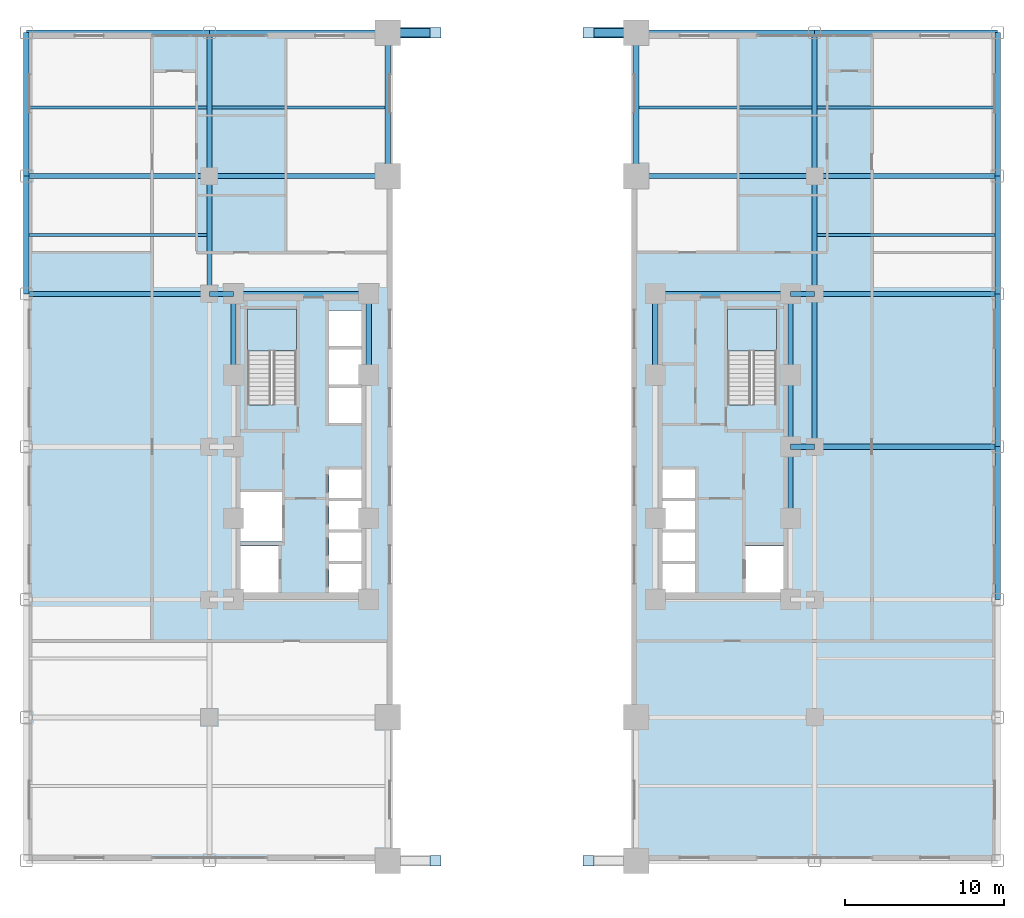
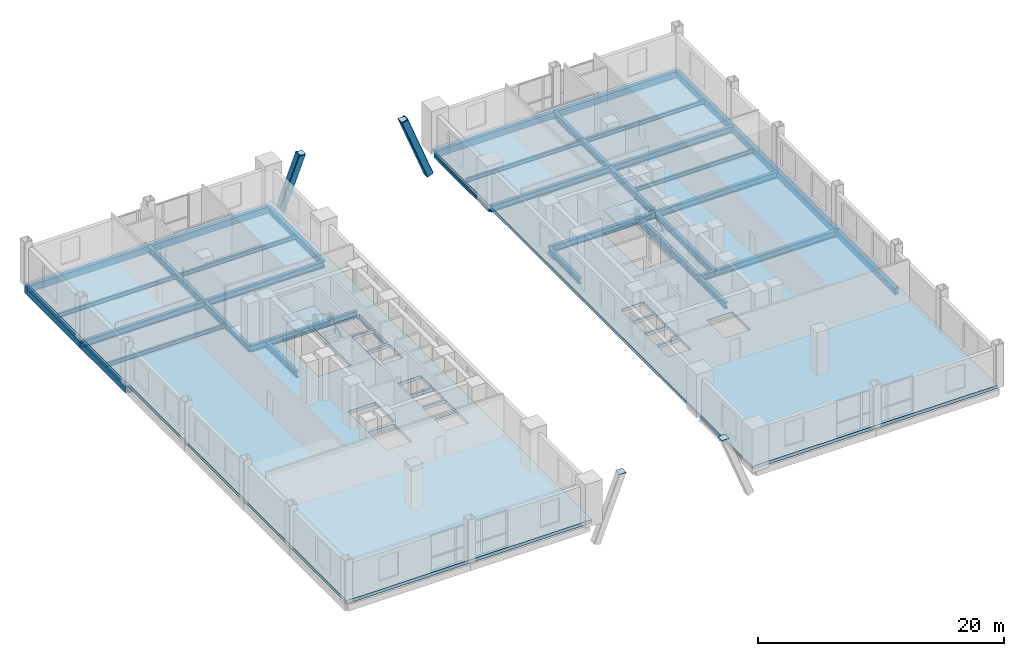
# One storey, part 2 of 15: 43 beams, 4 plates, 4 slabs, 2 elements without a shape of their own.
"""IFC4 building model written with IfcOpenShell, lengths in metres."""

import ifcopenshell
import ifcopenshell.guid

model = None  # the IFC model being written
_history = None  # IfcOwnerHistory: only IFC2X3 demands one
_inside = {}  # id of a spatial element -> (the spatial element, [elements in it])
_under = {}  # id of a project, library or spatial element -> (it, [spatial elements below it])
_declared = {}  # id of a project -> (the project, [libraries it declares])
_typed = {}  # id of a type object -> (the type object, [elements of that type])
_made_of = {}  # id of a material, layer set ... -> (it, [elements and type objects made of it])


def new_model(schema):
    """Start an empty IFC model of exactly this schema.

    Asked for "IFC4X3", IfcOpenShell would pick the latest addendum, in which some entities
    have other attributes; the version numbers below select the first issue.
    IFC2X3 requires an IfcOwnerHistory on every rooted entity: one is made here for all.
    """
    global model, _history
    if schema == "IFC4X3":
        model = ifcopenshell.file(schema_version=(4, 3, 0, 0))
    else:
        model = ifcopenshell.file(schema=schema)
    _inside.clear()
    _under.clear()
    _declared.clear()
    _typed.clear()
    _made_of.clear()
    _history = None
    if model.schema == "IFC2X3":
        org = make("IfcOrganization", Name="unknown")
        user = make(
            "IfcPersonAndOrganization",
            ThePerson=make("IfcPerson", FamilyName="unknown"),
            TheOrganization=org,
        )
        app = make(
            "IfcApplication",
            ApplicationDeveloper=org,
            Version="unknown",
            ApplicationFullName="unknown",
            ApplicationIdentifier="unknown",
        )
        _history = make(
            "IfcOwnerHistory",
            OwningUser=user,
            OwningApplication=app,
            ChangeAction="ADDED",
            CreationDate=0,
        )
    return model


def make(cls, **values):
    """One entity of the class cls with the attributes given. An attribute that is None is left unset."""
    return model.create_entity(
        cls, **{name: value for name, value in values.items() if value is not None}
    )


def rooted(cls, **values):
    """An entity with a GlobalId (a new one), such as an element, a storey or a relation."""
    return make(cls, GlobalId=ifcopenshell.guid.new(), OwnerHistory=_history, **values)


def si_unit(unit_type, name, prefix=None):
    """IfcSIUnit, for example si_unit("LENGTHUNIT", "METRE", prefix="MILLI")."""
    return make("IfcSIUnit", UnitType=unit_type, Prefix=prefix, Name=name)


def assignment(units):
    """IfcUnitAssignment: the units of a project."""
    return None if units is None else make("IfcUnitAssignment", Units=units)


def point(xyz):
    """IfcCartesianPoint."""
    return None if xyz is None else make("IfcCartesianPoint", Coordinates=xyz)


def direction(xyz):
    """IfcDirection."""
    return None if xyz is None else make("IfcDirection", DirectionRatios=xyz)


def frame(location, z_axis=None, x_axis=None):
    """IfcAxis2Placement3D, a coordinate frame: its origin and axes. An axis left out is left unset."""
    return make(
        "IfcAxis2Placement3D",
        Location=point(location),
        Axis=direction(z_axis),
        RefDirection=direction(x_axis),
    )


def frame_2d(location, x_axis=None):
    """IfcAxis2Placement2D, a coordinate frame in the plane: its origin and x axis."""
    return make(
        "IfcAxis2Placement2D", Location=point(location), RefDirection=direction(x_axis)
    )


def origin():
    """The frame at (0, 0, 0) with its axes left unset."""
    return frame((0.0, 0.0, 0.0))


def origin_2d():
    """The frame at (0, 0) in the plane with its x axis left unset."""
    return frame_2d((0.0, 0.0))


def place(relative_to, where):
    """IfcLocalPlacement: puts the frame where relative to a parent placement (None: the world)."""
    return make(
        "IfcLocalPlacement", PlacementRelTo=relative_to, RelativePlacement=where
    )


def context(
    kind, dimensions, precision=None, world=None, true_north=None, identifier=None
):
    """IfcGeometricRepresentationContext, for example the 3D "Model" context."""
    return make(
        "IfcGeometricRepresentationContext",
        ContextIdentifier=identifier,
        ContextType=kind,
        CoordinateSpaceDimension=dimensions,
        Precision=precision,
        WorldCoordinateSystem=world,
        TrueNorth=true_north,
    )


def subcontext(parent, identifier, kind, view, scale=None):
    """IfcGeometricRepresentationSubContext, for example "Body" below "Model"."""
    return make(
        "IfcGeometricRepresentationSubContext",
        ContextIdentifier=identifier,
        ContextType=kind,
        ParentContext=parent,
        TargetScale=scale,
        TargetView=view,
    )


def project(units=None, contexts=None):
    """IfcProject with its units and contexts."""
    return rooted(
        "IfcProject",
        Name="project",
        RepresentationContexts=contexts,
        UnitsInContext=assignment(units),
    )


def spatial(cls, under=None, at=None, **own):
    """A site, building, storey or space (cls), placed at a placement, below another one or the project."""
    s = rooted(cls, ObjectPlacement=at, **own)
    if under is not None:
        _under.setdefault(under.id(), (under, []))[1].append(s)
    return s


def polyline(points):
    """IfcPolyline through the points."""
    return make("IfcPolyline", Points=[point(p) for p in points])


def profile(cls, at=None, kind="AREA", **sizes):
    """A parametric profile (cls). Its sizes go by their IFC names, for example OverallWidth=200.0."""
    return make(cls, ProfileType=kind, Position=at, **sizes)


def rectangle(**sizes):
    """IfcRectangleProfileDef."""
    return profile("IfcRectangleProfileDef", **sizes)


def hollow_rectangle(**sizes):
    """IfcRectangleHollowProfileDef."""
    return profile("IfcRectangleHollowProfileDef", **sizes)


def i_section(**sizes):
    """IfcIShapeProfileDef."""
    return profile("IfcIShapeProfileDef", **sizes)


def outline(outer, holes=None, kind="AREA"):
    """IfcArbitraryClosedProfileDef: a profile drawn as a closed curve; with holes, ...WithVoids."""
    if holes is None:
        return make("IfcArbitraryClosedProfileDef", ProfileType=kind, OuterCurve=outer)
    return make(
        "IfcArbitraryProfileDefWithVoids",
        ProfileType=kind,
        OuterCurve=outer,
        InnerCurves=holes,
    )


def extrude(swept, where, along, depth):
    """IfcExtrudedAreaSolid: the profile swept, set in the frame where, extruded along a direction by depth."""
    return make(
        "IfcExtrudedAreaSolid",
        SweptArea=swept,
        Position=where,
        ExtrudedDirection=direction(along),
        Depth=depth,
    )


def shape(context_of_items, identifier, shape_type, items):
    """IfcShapeRepresentation: the items that make up one representation, for example the "Body"."""
    return make(
        "IfcShapeRepresentation",
        ContextOfItems=context_of_items,
        RepresentationIdentifier=identifier,
        RepresentationType=shape_type,
        Items=items,
    )


def source(mapping_origin, context_of_items, identifier, shape_type, items):
    """IfcRepresentationMap: a shape defined once, which mapped items show again and again."""
    return make(
        "IfcRepresentationMap",
        MappingOrigin=mapping_origin,
        MappedRepresentation=shape(context_of_items, identifier, shape_type, items),
    )


def transform(
    local_origin,
    x_axis=None,
    y_axis=None,
    z_axis=None,
    scale=None,
    scale2=None,
    scale3=None,
    uniform=True,
):
    """IfcCartesianTransformationOperator3D, or its non-uniform kind. x_axis, y_axis, z_axis: its Axis1, 2, 3."""
    if uniform:
        return make(
            "IfcCartesianTransformationOperator3D",
            Axis1=direction(x_axis),
            Axis2=direction(y_axis),
            LocalOrigin=point(local_origin),
            Scale=scale,
            Axis3=direction(z_axis),
        )
    return make(
        "IfcCartesianTransformationOperator3DnonUniform",
        Axis1=direction(x_axis),
        Axis2=direction(y_axis),
        LocalOrigin=point(local_origin),
        Scale=scale,
        Axis3=direction(z_axis),
        Scale2=scale2,
        Scale3=scale3,
    )


def mapped(mapping_source, mapping_target):
    """IfcMappedItem: shows the shape of a source again, moved by a transform."""
    return make(
        "IfcMappedItem", MappingSource=mapping_source, MappingTarget=mapping_target
    )


def material(Name=None, Category=None):
    """IfcMaterial."""
    return make("IfcMaterial", Name=Name, Category=Category)


def layer(
    of_material, thickness, ventilated=None, Name=None, Category=None, Priority=None
):
    """IfcMaterialLayer: one layer of a wall or slab, of a material (None: an air gap)."""
    return make(
        "IfcMaterialLayer",
        Material=of_material,
        LayerThickness=thickness,
        IsVentilated=ventilated,
        Name=Name,
        Category=Category,
        Priority=Priority,
    )


def layer_set(layers, Name=None):
    """IfcMaterialLayerSet."""
    return make("IfcMaterialLayerSet", MaterialLayers=layers, LayerSetName=Name)


def material_profile(
    of_material, cross_section, Name=None, Category=None, Priority=None
):
    """IfcMaterialProfile: a cross section and its material."""
    return make(
        "IfcMaterialProfile",
        Name=Name,
        Material=of_material,
        Profile=cross_section,
        Priority=Priority,
        Category=Category,
    )


def profile_set(profiles, Name=None, composite=None):
    """IfcMaterialProfileSet."""
    return make(
        "IfcMaterialProfileSet",
        Name=Name,
        MaterialProfiles=profiles,
        CompositeProfile=composite,
    )


def made_of(thing, what):
    """Note that an element or type object is made of a material, layer set ...; save() writes the relation."""
    if what is not None:
        _made_of.setdefault(what.id(), (what, []))[1].append(thing)
    return thing


def type_object(cls, material=None, **own):
    """A type object (cls), such as IfcWallType, which elements share."""
    return made_of(rooted(cls, **own), material)


def type_shapes(of_type, sources):
    """Give a type object the sources (RepresentationMaps) that its elements show as mapped items."""
    of_type.RepresentationMaps = sources


def element(
    cls,
    number,
    at=None,
    inside=None,
    cuts=None,
    type_object=None,
    material=None,
    context=None,
    identifier="Body",
    shape_type=None,
    held_by="IfcProductDefinitionShape",
    body=None,
    shapes=None,
    **own,
):
    """One element of the class cls, such as IfcWall. Its Tag is "e" and its number.

    at: its placement. inside: the storey or other place that contains it. cuts: it is an
    opening in that element (IfcRelVoidsElement). A single representation is given by context,
    identifier, shape_type and body (its items); several are given by shapes. held_by: the class
    of the entity that holds the representations. save() writes the other relations.
    """
    e = rooted(cls, Tag="e%d" % number, ObjectPlacement=at, **own)
    if body is not None:
        shapes = [shape(context, identifier, shape_type, body)]
    if shapes is not None:
        e.Representation = make(held_by, Representations=shapes)
    if inside is not None:
        _inside.setdefault(inside.id(), (inside, []))[1].append(e)
    if cuts is not None:
        rooted(
            "IfcRelVoidsElement", RelatingBuildingElement=cuts, RelatedOpeningElement=e
        )
    if type_object is not None:
        _typed.setdefault(type_object.id(), (type_object, []))[1].append(e)
    return made_of(e, material)


def aggregate(whole, parts):
    """IfcRelAggregates: a whole, such as a stair, and the parts it consists of."""
    return rooted("IfcRelAggregates", RelatingObject=whole, RelatedObjects=parts)


def save(model, path):
    """Write the relations noted so far, then the file.

    IfcRelAggregates (storeys below a building ...), IfcRelContainedInSpatialStructure (elements
    in a storey), IfcRelDefinesByType, IfcRelAssociatesMaterial and IfcRelDeclares: one each for
    every whole, place, type object, material and project.
    """
    for whole, parts in _under.values():
        aggregate(whole, parts)
    for where, things in _inside.values():
        rooted(
            "IfcRelContainedInSpatialStructure",
            RelatedElements=things,
            RelatingStructure=where,
        )
    for kind, things in _typed.values():
        rooted("IfcRelDefinesByType", RelatedObjects=things, RelatingType=kind)
    for what, things in _made_of.values():
        rooted("IfcRelAssociatesMaterial", RelatedObjects=things, RelatingMaterial=what)
    for by, libraries in _declared.values():
        rooted("IfcRelDeclares", RelatingContext=by, RelatedDefinitions=libraries)
    model.write(path)


model = new_model("IFC4")

# Units and contexts
model_context = context("Model", 3, precision=1e-05, world=origin(), true_north=direction((0.0, 1.0)))
body_context = subcontext(model_context, "Body", "Model", "MODEL_VIEW")
ifc_project = project(units=[si_unit("LENGTHUNIT", "METRE"), si_unit("AREAUNIT", "SQUARE_METRE"), si_unit("VOLUMEUNIT", "CUBIC_METRE"), si_unit("PLANEANGLEUNIT", "RADIAN"), si_unit("MASSUNIT", "GRAM", prefix="KILO")], contexts=[model_context])

# Site, building, storey
site_placement = place(None, origin())
site = spatial("IfcSite", under=ifc_project, at=site_placement, CompositionType="ELEMENT")
building_placement = place(site_placement, origin())
building = spatial("IfcBuilding", under=site, at=building_placement, Name="Nuvemarco Arch Tower", CompositionType="ELEMENT")
storey_placement = place(building_placement, frame((0.0, 0.0, 9.199951171875)))
storey = spatial("IfcBuildingStorey", under=building, at=storey_placement, Name="L02", CompositionType="ELEMENT", Elevation=9.199951171875)

# Beams
ifc_material_1 = material(Name="Steel S355", Category="steel")
ifc_material_profile_1 = material_profile(ifc_material_1, hollow_rectangle(XDim=0.64990234375, YDim=0.64990234375, WallThickness=0.0400390625, InnerFilletRadius=0.0400390625, OuterFilletRadius=0.080078125, at=origin_2d()), Name="SHS650x650x40")
ifc_profile_set_1 = profile_set([ifc_material_profile_1], Name="Steel S355")
beam_type_1 = type_object("IfcBeamType", Name="BM-ARCH-RIB", PredefinedType="BEAM", material=ifc_profile_set_1)
for number, where, z_axis, x_axis, name in (
    (1, (-7.199951171875, 26.0, -2.39990234375), (0.360983800249, 0.0, 0.932572086199), (0.0, 1.0, 0.0), "Monumental portal arch rib segment N-2"),
    (2, (4.800048828125, 26.0, 3.800048828125), (0.360983800249, 0.0, -0.932572086199), (0.0, 1.0, 0.0), "Monumental portal arch rib segment N-5"),
):
    element("IfcBeam", number, at=place(storey_placement, frame(where, z_axis=z_axis, x_axis=x_axis)), inside=storey, type_object=beam_type_1, Name=name, PredefinedType="BEAM", context=body_context, shape_type="SweptSolid", body=[
        extrude(hollow_rectangle(XDim=0.64990234375, YDim=0.64990234375, WallThickness=0.0400390625, InnerFilletRadius=0.0400390625, OuterFilletRadius=0.080078125, at=origin_2d()), origin(), (0.0, 0.0, 1.0), 6.648193359375),
    ])
ifc_material_profile_2 = material_profile(ifc_material_1, i_section(OverallWidth=0.324951171875, OverallDepth=0.615966796875, WebThickness=0.013916015625, FlangeThickness=0.021484375, FilletRadius=0.01611328125, at=origin_2d()), Name="W610x174")
ifc_profile_set_2 = profile_set([ifc_material_profile_2], Name="Steel S355")
beam_type_2 = type_object("IfcBeamType", Name="BM-GIRD-610H", PredefinedType="BEAM", material=ifc_profile_set_2)
beam_1_placement = place(storey_placement, frame((-19.0, 9.60009765625, -0.6279296875), z_axis=(0.0, 1.0, 0.0), x_axis=(-1.0, 0.0, 0.0)))
element("IfcBeam", 3, at=beam_1_placement, inside=storey, type_object=beam_type_2, Name="L02 structural beam BGNS_L02_0_-19.0_+9.6", PredefinedType="BEAM", context=body_context, shape_type="SweptSolid", body=[
    extrude(i_section(OverallWidth=0.324951171875, OverallDepth=0.615966796875, WebThickness=0.013916015625, FlangeThickness=0.021484375, FilletRadius=0.01611328125, at=origin_2d()), origin(), (0.0, 0.0, 1.0), 7.39990234375),
])
beam_2_placement = place(storey_placement, frame((-19.0, 17.0, -0.6279296875), z_axis=(0.0, 1.0, 0.0), x_axis=(-1.0, 0.0, 0.0)))
element("IfcBeam", 4, at=beam_2_placement, inside=storey, type_object=beam_type_2, Name="L02 structural beam BGNS_L02_0_-19.0_+17.0", PredefinedType="BEAM", context=body_context, shape_type="SweptSolid", body=[
    extrude(i_section(OverallWidth=0.324951171875, OverallDepth=0.615966796875, WebThickness=0.013916015625, FlangeThickness=0.021484375, FilletRadius=0.01611328125, at=origin_2d()), origin(), (0.0, 0.0, 1.0), 9.0),
])
for number, where, z_axis, x_axis, name in (
    (5, (-17.5, 4.5, -0.6279296875), (0.0, 1.0, 0.0), (-1.0, 0.0, 0.0), "L02 structural beam BGNS_L02_0_-17.5_+4.5"),
    (6, (-9.0, 4.5, -0.6279296875), (0.0, 1.0, 0.0), (-1.0, 0.0, 0.0), "L02 structural beam BGNS_L02_0_-9.0_+4.5"),
):
    element("IfcBeam", number, at=place(storey_placement, frame(where, z_axis=z_axis, x_axis=x_axis)), inside=storey, type_object=beam_type_2, Name=name, PredefinedType="BEAM", context=body_context, shape_type="SweptSolid", body=[
        extrude(i_section(OverallWidth=0.324951171875, OverallDepth=0.615966796875, WebThickness=0.013916015625, FlangeThickness=0.021484375, FilletRadius=0.01611328125, at=origin_2d()), origin(), (0.0, 0.0, 1.0), 5.10009765625),
    ])
beam_3_placement = place(storey_placement, frame((-7.800048828125, 17.0, -0.6279296875), z_axis=(0.0, 1.0, 0.0), x_axis=(-1.0, 0.0, 0.0)))
element("IfcBeam", 7, at=beam_3_placement, inside=storey, type_object=beam_type_2, Name="L02 structural beam BGNS_L02_0_-7.8_+17.0", PredefinedType="BEAM", context=body_context, shape_type="SweptSolid", body=[
    extrude(i_section(OverallWidth=0.324951171875, OverallDepth=0.615966796875, WebThickness=0.013916015625, FlangeThickness=0.021484375, FilletRadius=0.01611328125, at=origin_2d()), origin(), (0.0, 0.0, 1.0), 9.0),
])
beam_4_placement = place(storey_placement, frame((-30.5, 9.60009765625, -0.6279296875), z_axis=(1.0, 0.0, 0.0), x_axis=(0.0, 1.0, 0.0)))
element("IfcBeam", 8, at=beam_4_placement, inside=storey, type_object=beam_type_2, Name="L02 structural beam BGEW_L02_0_+9.6_-30.5", PredefinedType="BEAM", context=body_context, shape_type="SweptSolid", body=[
    extrude(i_section(OverallWidth=0.324951171875, OverallDepth=0.615966796875, WebThickness=0.013916015625, FlangeThickness=0.021484375, FilletRadius=0.01611328125, at=origin_2d()), origin(), (0.0, 0.0, 1.0), 11.5),
])
beam_5_placement = place(storey_placement, frame((-19.0, 9.60009765625, -0.6279296875), z_axis=(1.0, 0.0, 0.0), x_axis=(0.0, 1.0, 0.0)))
element("IfcBeam", 9, at=beam_5_placement, inside=storey, type_object=beam_type_2, Name="L02 structural beam BGEW_L02_0_+9.6_-19.0", PredefinedType="BEAM", context=body_context, shape_type="SweptSolid", body=[
    extrude(i_section(OverallWidth=0.324951171875, OverallDepth=0.615966796875, WebThickness=0.013916015625, FlangeThickness=0.021484375, FilletRadius=0.01611328125, at=origin_2d()), origin(), (0.0, 0.0, 1.0), 1.5),
])
beam_6_placement = place(storey_placement, frame((-17.5, 9.60009765625, -0.6279296875), z_axis=(1.0, 0.0, 0.0), x_axis=(0.0, 1.0, 0.0)))
element("IfcBeam", 10, at=beam_6_placement, inside=storey, type_object=beam_type_2, Name="L02 structural beam BGEW_L02_0_+9.6_-17.5", PredefinedType="BEAM", context=body_context, shape_type="SweptSolid", body=[
    extrude(i_section(OverallWidth=0.324951171875, OverallDepth=0.615966796875, WebThickness=0.013916015625, FlangeThickness=0.021484375, FilletRadius=0.01611328125, at=origin_2d()), origin(), (0.0, 0.0, 1.0), 8.5),
])
beam_7_placement = place(storey_placement, frame((-30.5, 17.0, -0.6279296875), z_axis=(1.0, 0.0, 0.0), x_axis=(0.0, 1.0, 0.0)))
element("IfcBeam", 11, at=beam_7_placement, inside=storey, type_object=beam_type_2, Name="L02 structural beam BGEW_L02_0_+17.0_-30.5", PredefinedType="BEAM", context=body_context, shape_type="SweptSolid", body=[
    extrude(i_section(OverallWidth=0.324951171875, OverallDepth=0.615966796875, WebThickness=0.013916015625, FlangeThickness=0.021484375, FilletRadius=0.01611328125, at=origin_2d()), origin(), (0.0, 0.0, 1.0), 11.5),
])
beam_8_placement = place(storey_placement, frame((-19.0, 17.0, -0.6279296875), z_axis=(1.0, 0.0, 0.0), x_axis=(0.0, 1.0, 0.0)))
element("IfcBeam", 12, at=beam_8_placement, inside=storey, type_object=beam_type_2, Name="L02 structural beam BGEW_L02_0_+17.0_-19.0", PredefinedType="BEAM", context=body_context, shape_type="SweptSolid", body=[
    extrude(i_section(OverallWidth=0.324951171875, OverallDepth=0.615966796875, WebThickness=0.013916015625, FlangeThickness=0.021484375, FilletRadius=0.01611328125, at=origin_2d()), origin(), (0.0, 0.0, 1.0), 11.199951171875),
])
beam_9_placement = place(storey_placement, frame((7.800048828125, 17.0, -0.6279296875), z_axis=(0.0, 1.0, 0.0), x_axis=(-1.0, 0.0, 0.0)))
element("IfcBeam", 13, at=beam_9_placement, inside=storey, type_object=beam_type_2, Name="L02 structural beam BGNS_L02_1_+7.8_+17.0", PredefinedType="BEAM", context=body_context, shape_type="SweptSolid", body=[
    extrude(i_section(OverallWidth=0.324951171875, OverallDepth=0.615966796875, WebThickness=0.013916015625, FlangeThickness=0.021484375, FilletRadius=0.01611328125, at=origin_2d()), origin(), (0.0, 0.0, 1.0), 9.0),
])
beam_10_placement = place(storey_placement, frame((9.0, 4.5, -0.6279296875), z_axis=(0.0, 1.0, 0.0), x_axis=(-1.0, 0.0, 0.0)))
element("IfcBeam", 14, at=beam_10_placement, inside=storey, type_object=beam_type_2, Name="L02 structural beam BGNS_L02_1_+9.0_+4.5", PredefinedType="BEAM", context=body_context, shape_type="SweptSolid", body=[
    extrude(i_section(OverallWidth=0.324951171875, OverallDepth=0.615966796875, WebThickness=0.013916015625, FlangeThickness=0.021484375, FilletRadius=0.01611328125, at=origin_2d()), origin(), (0.0, 0.0, 1.0), 5.10009765625),
])
for number, where, z_axis, x_axis, name in (
    (15, (17.5, -4.5, -0.6279296875), (0.0, 1.0, 0.0), (-1.0, 0.0, 0.0), "L02 structural beam BGNS_L02_1_+17.5_-4.5"),
    (16, (17.5, 0.0, -0.6279296875), (0.0, 1.0, 0.0), (-1.0, 0.0, 0.0), "L02 structural beam BGNS_L02_1_+17.5_+0.0"),
):
    element("IfcBeam", number, at=place(storey_placement, frame(where, z_axis=z_axis, x_axis=x_axis)), inside=storey, type_object=beam_type_2, Name=name, PredefinedType="BEAM", context=body_context, shape_type="SweptSolid", body=[
        extrude(i_section(OverallWidth=0.324951171875, OverallDepth=0.615966796875, WebThickness=0.013916015625, FlangeThickness=0.021484375, FilletRadius=0.01611328125, at=origin_2d()), origin(), (0.0, 0.0, 1.0), 4.5),
    ])
beam_11_placement = place(storey_placement, frame((17.5, 4.5, -0.6279296875), z_axis=(0.0, 1.0, 0.0), x_axis=(-1.0, 0.0, 0.0)))
element("IfcBeam", 17, at=beam_11_placement, inside=storey, type_object=beam_type_2, Name="L02 structural beam BGNS_L02_1_+17.5_+4.5", PredefinedType="BEAM", context=body_context, shape_type="SweptSolid", body=[
    extrude(i_section(OverallWidth=0.324951171875, OverallDepth=0.615966796875, WebThickness=0.013916015625, FlangeThickness=0.021484375, FilletRadius=0.01611328125, at=origin_2d()), origin(), (0.0, 0.0, 1.0), 5.10009765625),
])
beam_12_placement = place(storey_placement, frame((19.0, 0.0, -0.6279296875), z_axis=(0.0, 1.0, 0.0), x_axis=(-1.0, 0.0, 0.0)))
element("IfcBeam", 18, at=beam_12_placement, inside=storey, type_object=beam_type_2, Name="L02 structural beam BGNS_L02_1_+19.0_+0.0", PredefinedType="BEAM", context=body_context, shape_type="SweptSolid", body=[
    extrude(i_section(OverallWidth=0.324951171875, OverallDepth=0.615966796875, WebThickness=0.013916015625, FlangeThickness=0.021484375, FilletRadius=0.01611328125, at=origin_2d()), origin(), (0.0, 0.0, 1.0), 9.60009765625),
])
beam_13_placement = place(storey_placement, frame((19.0, 9.60009765625, -0.6279296875), z_axis=(0.0, 1.0, 0.0), x_axis=(-1.0, 0.0, 0.0)))
element("IfcBeam", 19, at=beam_13_placement, inside=storey, type_object=beam_type_2, Name="L02 structural beam BGNS_L02_1_+19.0_+9.6", PredefinedType="BEAM", context=body_context, shape_type="SweptSolid", body=[
    extrude(i_section(OverallWidth=0.324951171875, OverallDepth=0.615966796875, WebThickness=0.013916015625, FlangeThickness=0.021484375, FilletRadius=0.01611328125, at=origin_2d()), origin(), (0.0, 0.0, 1.0), 7.39990234375),
])
beam_14_placement = place(storey_placement, frame((19.0, 17.0, -0.6279296875), z_axis=(0.0, 1.0, 0.0), x_axis=(-1.0, 0.0, 0.0)))
element("IfcBeam", 20, at=beam_14_placement, inside=storey, type_object=beam_type_2, Name="L02 structural beam BGNS_L02_1_+19.0_+17.0", PredefinedType="BEAM", context=body_context, shape_type="SweptSolid", body=[
    extrude(i_section(OverallWidth=0.324951171875, OverallDepth=0.615966796875, WebThickness=0.013916015625, FlangeThickness=0.021484375, FilletRadius=0.01611328125, at=origin_2d()), origin(), (0.0, 0.0, 1.0), 9.0),
])
beam_15_placement = place(storey_placement, frame((17.5, 0.0, -0.6279296875), z_axis=(1.0, 0.0, 0.0), x_axis=(0.0, 1.0, 0.0)))
element("IfcBeam", 21, at=beam_15_placement, inside=storey, type_object=beam_type_2, Name="L02 structural beam BGEW_L02_1_+0.0_+17.5", PredefinedType="BEAM", context=body_context, shape_type="SweptSolid", body=[
    extrude(i_section(OverallWidth=0.324951171875, OverallDepth=0.615966796875, WebThickness=0.013916015625, FlangeThickness=0.021484375, FilletRadius=0.01611328125, at=origin_2d()), origin(), (0.0, 0.0, 1.0), 1.5),
])
beam_16_placement = place(storey_placement, frame((19.0, 0.0, -0.6279296875), z_axis=(1.0, 0.0, 0.0), x_axis=(0.0, 1.0, 0.0)))
element("IfcBeam", 22, at=beam_16_placement, inside=storey, type_object=beam_type_2, Name="L02 structural beam BGEW_L02_1_+0.0_+19.0", PredefinedType="BEAM", context=body_context, shape_type="SweptSolid", body=[
    extrude(i_section(OverallWidth=0.324951171875, OverallDepth=0.615966796875, WebThickness=0.013916015625, FlangeThickness=0.021484375, FilletRadius=0.01611328125, at=origin_2d()), origin(), (0.0, 0.0, 1.0), 11.5),
])
beam_17_placement = place(storey_placement, frame((9.0, 9.60009765625, -0.6279296875), z_axis=(1.0, 0.0, 0.0), x_axis=(0.0, 1.0, 0.0)))
element("IfcBeam", 23, at=beam_17_placement, inside=storey, type_object=beam_type_2, Name="L02 structural beam BGEW_L02_1_+9.6_+9.0", PredefinedType="BEAM", context=body_context, shape_type="SweptSolid", body=[
    extrude(i_section(OverallWidth=0.324951171875, OverallDepth=0.615966796875, WebThickness=0.013916015625, FlangeThickness=0.021484375, FilletRadius=0.01611328125, at=origin_2d()), origin(), (0.0, 0.0, 1.0), 8.5),
])
beam_18_placement = place(storey_placement, frame((17.5, 9.60009765625, -0.6279296875), z_axis=(1.0, 0.0, 0.0), x_axis=(0.0, 1.0, 0.0)))
element("IfcBeam", 24, at=beam_18_placement, inside=storey, type_object=beam_type_2, Name="L02 structural beam BGEW_L02_1_+9.6_+17.5", PredefinedType="BEAM", context=body_context, shape_type="SweptSolid", body=[
    extrude(i_section(OverallWidth=0.324951171875, OverallDepth=0.615966796875, WebThickness=0.013916015625, FlangeThickness=0.021484375, FilletRadius=0.01611328125, at=origin_2d()), origin(), (0.0, 0.0, 1.0), 1.5),
])
beam_19_placement = place(storey_placement, frame((19.0, 9.60009765625, -0.6279296875), z_axis=(1.0, 0.0, 0.0), x_axis=(0.0, 1.0, 0.0)))
element("IfcBeam", 25, at=beam_19_placement, inside=storey, type_object=beam_type_2, Name="L02 structural beam BGEW_L02_1_+9.6_+19.0", PredefinedType="BEAM", context=body_context, shape_type="SweptSolid", body=[
    extrude(i_section(OverallWidth=0.324951171875, OverallDepth=0.615966796875, WebThickness=0.013916015625, FlangeThickness=0.021484375, FilletRadius=0.01611328125, at=origin_2d()), origin(), (0.0, 0.0, 1.0), 11.5),
])
beam_20_placement = place(storey_placement, frame((7.800048828125, 17.0, -0.6279296875), z_axis=(1.0, 0.0, 0.0), x_axis=(0.0, 1.0, 0.0)))
element("IfcBeam", 26, at=beam_20_placement, inside=storey, type_object=beam_type_2, Name="L02 structural beam BGEW_L02_1_+17.0_+7.8", PredefinedType="BEAM", context=body_context, shape_type="SweptSolid", body=[
    extrude(i_section(OverallWidth=0.324951171875, OverallDepth=0.615966796875, WebThickness=0.013916015625, FlangeThickness=0.021484375, FilletRadius=0.01611328125, at=origin_2d()), origin(), (0.0, 0.0, 1.0), 11.199951171875),
])
beam_21_placement = place(storey_placement, frame((19.0, 17.0, -0.6279296875), z_axis=(1.0, 0.0, 0.0), x_axis=(0.0, 1.0, 0.0)))
element("IfcBeam", 27, at=beam_21_placement, inside=storey, type_object=beam_type_2, Name="L02 structural beam BGEW_L02_1_+17.0_+19.0", PredefinedType="BEAM", context=body_context, shape_type="SweptSolid", body=[
    extrude(i_section(OverallWidth=0.324951171875, OverallDepth=0.615966796875, WebThickness=0.013916015625, FlangeThickness=0.021484375, FilletRadius=0.01611328125, at=origin_2d()), origin(), (0.0, 0.0, 1.0), 11.5),
])
ifc_material_profile_3 = material_profile(ifc_material_1, i_section(OverallWidth=0.179931640625, OverallDepth=0.4130859375, WebThickness=0.009765625, FlangeThickness=0.01611328125, FilletRadius=0.014892578125, at=origin_2d()), Name="W410x75")
ifc_profile_set_3 = profile_set([ifc_material_profile_3], Name="Steel S355")
beam_type_3 = type_object("IfcBeamType", Name="BM-JOIST-410", PredefinedType="JOIST", material=ifc_profile_set_3)
for number, where, z_axis, x_axis, name in (
    (28, (-30.324951171875, 13.300048828125, -0.5263671875), (1.0, 0.0, 0.0), (0.0, 1.0, 0.0), "L02 structural beam BJ_L02_0_+13.3_-30.5"),
    (29, (-30.324951171875, 21.300048828125, -0.5263671875), (1.0, 0.0, 0.0), (0.0, 1.0, 0.0), "L02 structural beam BJ_L02_0_+21.3_-30.5"),
):
    element("IfcBeam", number, at=place(storey_placement, frame(where, z_axis=z_axis, x_axis=x_axis)), inside=storey, type_object=beam_type_3, Name=name, PredefinedType="JOIST", context=body_context, shape_type="SweptSolid", body=[
        extrude(i_section(OverallWidth=0.179931640625, OverallDepth=0.4130859375, WebThickness=0.009765625, FlangeThickness=0.01611328125, FilletRadius=0.014892578125, at=origin_2d()), origin(), (0.0, 0.0, 1.0), 11.162353515625),
    ])
beam_22_placement = place(storey_placement, frame((-18.83740234375, 21.300048828125, -0.5263671875), z_axis=(1.0, 0.0, 0.0), x_axis=(0.0, 1.0, 0.0)))
element("IfcBeam", 30, at=beam_22_placement, inside=storey, type_object=beam_type_3, Name="L02 structural beam BJ_L02_0_+21.3_-19.0", PredefinedType="JOIST", context=body_context, shape_type="SweptSolid", body=[
    extrude(i_section(OverallWidth=0.179931640625, OverallDepth=0.4130859375, WebThickness=0.009765625, FlangeThickness=0.01611328125, FilletRadius=0.014892578125, at=origin_2d()), origin(), (0.0, 0.0, 1.0), 10.875),
])
beam_23_placement = place(storey_placement, frame((19.16259765625, 13.300048828125, -0.5263671875), z_axis=(1.0, 0.0, 0.0), x_axis=(0.0, 1.0, 0.0)))
element("IfcBeam", 31, at=beam_23_placement, inside=storey, type_object=beam_type_3, Name="L02 structural beam BJ_L02_1_+13.3_+19.0", PredefinedType="JOIST", context=body_context, shape_type="SweptSolid", body=[
    extrude(i_section(OverallWidth=0.179931640625, OverallDepth=0.4130859375, WebThickness=0.009765625, FlangeThickness=0.01611328125, FilletRadius=0.014892578125, at=origin_2d()), origin(), (0.0, 0.0, 1.0), 11.162353515625),
])
beam_24_placement = place(storey_placement, frame((7.96240234375, 21.300048828125, -0.5263671875), z_axis=(1.0, 0.0, 0.0), x_axis=(0.0, 1.0, 0.0)))
element("IfcBeam", 32, at=beam_24_placement, inside=storey, type_object=beam_type_3, Name="L02 structural beam BJ_L02_1_+21.3_+7.8", PredefinedType="JOIST", context=body_context, shape_type="SweptSolid", body=[
    extrude(i_section(OverallWidth=0.179931640625, OverallDepth=0.4130859375, WebThickness=0.009765625, FlangeThickness=0.01611328125, FilletRadius=0.014892578125, at=origin_2d()), origin(), (0.0, 0.0, 1.0), 10.875),
])
beam_25_placement = place(storey_placement, frame((19.16259765625, 21.300048828125, -0.5263671875), z_axis=(1.0, 0.0, 0.0), x_axis=(0.0, 1.0, 0.0)))
element("IfcBeam", 33, at=beam_25_placement, inside=storey, type_object=beam_type_3, Name="L02 structural beam BJ_L02_1_+21.3_+19.0", PredefinedType="JOIST", context=body_context, shape_type="SweptSolid", body=[
    extrude(i_section(OverallWidth=0.179931640625, OverallDepth=0.4130859375, WebThickness=0.009765625, FlangeThickness=0.01611328125, FilletRadius=0.014892578125, at=origin_2d()), origin(), (0.0, 0.0, 1.0), 11.162353515625),
])
ifc_material_2 = material(Name="Precast concrete C45/55", Category="concrete")
ifc_material_profile_4 = material_profile(ifc_material_2, rectangle(XDim=0.35009765625, YDim=0.64990234375, at=origin_2d()), Name="PC-SP-350x650")
ifc_profile_set_4 = profile_set([ifc_material_profile_4], Name="Precast concrete C45/55")
beam_type_4 = type_object("IfcBeamType", Name="BM-SPAN-RC", PredefinedType="SPANDREL", material=ifc_profile_set_4)
beam_26_placement = place(storey_placement, frame((-30.5, 9.60009765625, -0.64501953125), z_axis=(0.0, 1.0, 0.0), x_axis=(-1.0, 0.0, 0.0)))
element("IfcBeam", 34, at=beam_26_placement, inside=storey, type_object=beam_type_4, Name="L02 structural beam BGNS_L02_0_-30.5_+9.6", PredefinedType="SPANDREL", context=body_context, shape_type="SweptSolid", body=[
    extrude(rectangle(XDim=0.35009765625, YDim=0.64990234375, at=origin_2d()), origin(), (0.0, 0.0, 1.0), 7.39990234375),
])
beam_27_placement = place(storey_placement, frame((-30.5, 17.0, -0.64501953125), z_axis=(0.0, 1.0, 0.0), x_axis=(-1.0, 0.0, 0.0)))
element("IfcBeam", 35, at=beam_27_placement, inside=storey, type_object=beam_type_4, Name="L02 structural beam BGNS_L02_0_-30.5_+17.0", PredefinedType="SPANDREL", context=body_context, shape_type="SweptSolid", body=[
    extrude(rectangle(XDim=0.35009765625, YDim=0.64990234375, at=origin_2d()), origin(), (0.0, 0.0, 1.0), 9.0),
])
beam_28_placement = place(storey_placement, frame((-30.5, 26.0, -0.64501953125), z_axis=(1.0, 0.0, 0.0), x_axis=(0.0, 1.0, 0.0)))
element("IfcBeam", 36, at=beam_28_placement, inside=storey, type_object=beam_type_4, Name="L02 structural beam BGEW_L02_0_+26.0_-30.5", PredefinedType="SPANDREL", context=body_context, shape_type="SweptSolid", body=[
    extrude(rectangle(XDim=0.35009765625, YDim=0.64990234375, at=origin_2d()), origin(), (0.0, 0.0, 1.0), 11.5),
])
beam_29_placement = place(storey_placement, frame((-19.0, 26.0, -0.64501953125), z_axis=(1.0, 0.0, 0.0), x_axis=(0.0, 1.0, 0.0)))
element("IfcBeam", 37, at=beam_29_placement, inside=storey, type_object=beam_type_4, Name="L02 structural beam BGEW_L02_0_+26.0_-19.0", PredefinedType="SPANDREL", context=body_context, shape_type="SweptSolid", body=[
    extrude(rectangle(XDim=0.35009765625, YDim=0.64990234375, at=origin_2d()), origin(), (0.0, 0.0, 1.0), 11.199951171875),
])
for number, where, z_axis, x_axis, name in (
    (38, (30.5, -9.60009765625, -0.64501953125), (0.0, 1.0, 0.0), (-1.0, 0.0, 0.0), "L02 structural beam BGNS_L02_1_+30.5_-9.6"),
    (39, (30.5, 0.0, -0.64501953125), (0.0, 1.0, 0.0), (-1.0, 0.0, 0.0), "L02 structural beam BGNS_L02_1_+30.5_+0.0"),
):
    element("IfcBeam", number, at=place(storey_placement, frame(where, z_axis=z_axis, x_axis=x_axis)), inside=storey, type_object=beam_type_4, Name=name, PredefinedType="SPANDREL", context=body_context, shape_type="SweptSolid", body=[
        extrude(rectangle(XDim=0.35009765625, YDim=0.64990234375, at=origin_2d()), origin(), (0.0, 0.0, 1.0), 9.60009765625),
    ])
beam_30_placement = place(storey_placement, frame((30.5, 9.60009765625, -0.64501953125), z_axis=(0.0, 1.0, 0.0), x_axis=(-1.0, 0.0, 0.0)))
element("IfcBeam", 40, at=beam_30_placement, inside=storey, type_object=beam_type_4, Name="L02 structural beam BGNS_L02_1_+30.5_+9.6", PredefinedType="SPANDREL", context=body_context, shape_type="SweptSolid", body=[
    extrude(rectangle(XDim=0.35009765625, YDim=0.64990234375, at=origin_2d()), origin(), (0.0, 0.0, 1.0), 7.39990234375),
])
beam_31_placement = place(storey_placement, frame((30.5, 17.0, -0.64501953125), z_axis=(0.0, 1.0, 0.0), x_axis=(-1.0, 0.0, 0.0)))
element("IfcBeam", 41, at=beam_31_placement, inside=storey, type_object=beam_type_4, Name="L02 structural beam BGNS_L02_1_+30.5_+17.0", PredefinedType="SPANDREL", context=body_context, shape_type="SweptSolid", body=[
    extrude(rectangle(XDim=0.35009765625, YDim=0.64990234375, at=origin_2d()), origin(), (0.0, 0.0, 1.0), 9.0),
])
beam_32_placement = place(storey_placement, frame((7.800048828125, 26.0, -0.64501953125), z_axis=(1.0, 0.0, 0.0), x_axis=(0.0, 1.0, 0.0)))
element("IfcBeam", 42, at=beam_32_placement, inside=storey, type_object=beam_type_4, Name="L02 structural beam BGEW_L02_1_+26.0_+7.8", PredefinedType="SPANDREL", context=body_context, shape_type="SweptSolid", body=[
    extrude(rectangle(XDim=0.35009765625, YDim=0.64990234375, at=origin_2d()), origin(), (0.0, 0.0, 1.0), 11.199951171875),
])
beam_33_placement = place(storey_placement, frame((19.0, 26.0, -0.64501953125), z_axis=(1.0, 0.0, 0.0), x_axis=(0.0, 1.0, 0.0)))
element("IfcBeam", 43, at=beam_33_placement, inside=storey, type_object=beam_type_4, Name="L02 structural beam BGEW_L02_1_+26.0_+19.0", PredefinedType="SPANDREL", context=body_context, shape_type="SweptSolid", body=[
    extrude(rectangle(XDim=0.35009765625, YDim=0.64990234375, at=origin_2d()), origin(), (0.0, 0.0, 1.0), 11.5),
])

# Slabs
ifc_material_3 = material(Name="Concrete C50/60", Category="concrete")
ifc_layer_1 = layer(ifc_material_3, 0.320068359375, Name="SL-FLR-320")
ifc_layer_set_1 = layer_set([ifc_layer_1], Name="Concrete C50/60")
slab_type_1 = type_object("IfcSlabType", Name="SL-FLR-320", PredefinedType="FLOOR", material=ifc_layer_set_1)
slab_1_placement = place(storey_placement, frame((0.0, 0.0, -0.320068359375)))
element("IfcSlab", 44, at=slab_1_placement, inside=storey, type_object=slab_type_1, Name="L02 structural floor slab", PredefinedType="FLOOR", context=body_context, shape_type="SweptSolid", body=[
    extrude(outline(polyline([(-30.5, -26.0), (-7.5, -26.0), (-7.5, 26.0), (-30.5, 26.0), (-30.5, -26.0)]), holes=[polyline([(-13.5400390625, 2.669921875), (-13.5400390625, 8.64990234375), (-16.60009765625, 8.64990234375), (-16.60009765625, 2.630615234375), (-15.070068359375, 2.630615234375), (-15.070068359375, 2.669921875), (-13.5400390625, 2.669921875)]), polyline([(-17.050048828125, -9.14990234375), (-14.64990234375, -9.14990234375), (-14.64990234375, -6.25), (-17.050048828125, -6.25), (-17.050048828125, -9.14990234375)]), polyline([(-17.050048828125, -5.949951171875), (-14.449951171875, -5.949951171875), (-14.449951171875, -2.85009765625), (-17.050048828125, -2.85009765625), (-17.050048828125, -5.949951171875)]), polyline([(-11.5, -9.14990234375), (-9.35009765625, -9.14990234375), (-9.35009765625, -7.3701171875), (-11.5, -7.3701171875), (-11.5, -9.14990234375)]), polyline([(-11.5, -7.169921875), (-9.35009765625, -7.169921875), (-9.35009765625, -5.389892578125), (-11.5, -5.389892578125), (-11.5, -7.169921875)]), polyline([(-11.5, -5.18994140625), (-9.35009765625, -5.18994140625), (-9.35009765625, -3.409912109375), (-11.5, -3.409912109375), (-11.5, -5.18994140625)]), polyline([(-11.5, -3.2099609375), (-9.35009765625, -3.2099609375), (-9.35009765625, -1.429931640625), (-11.5, -1.429931640625), (-11.5, -3.2099609375)]), polyline([(-11.5, 1.5), (-9.35009765625, 1.5), (-9.35009765625, 3.699951171875), (-11.5, 3.699951171875), (-11.5, 1.5)]), polyline([(-11.5, 3.919921875), (-9.35009765625, 3.919921875), (-9.35009765625, 6.1201171875), (-11.5, 6.1201171875), (-11.5, 3.919921875)]), polyline([(-11.5, 6.340087890625), (-9.35009765625, 6.340087890625), (-9.35009765625, 8.5400390625), (-11.5, 8.5400390625), (-11.5, 6.340087890625)])]), origin(), (0.0, 0.0, 1.0), 0.320068359375),
])
slab_2_placement = place(storey_placement, frame((0.0, 0.0, -0.320068359375)))
element("IfcSlab", 45, at=slab_2_placement, inside=storey, type_object=slab_type_1, Name="L02 structural floor slab", PredefinedType="FLOOR", context=body_context, shape_type="SweptSolid", body=[
    extrude(outline(polyline([(7.5, -26.0), (30.5, -26.0), (30.5, 26.0), (7.5, 26.0), (7.5, -26.0)]), holes=[polyline([(16.60009765625, 2.669921875), (16.60009765625, 8.64990234375), (13.5400390625, 8.64990234375), (13.5400390625, 2.630615234375), (15.070068359375, 2.630615234375), (15.070068359375, 2.669921875), (16.60009765625, 2.669921875)]), polyline([(14.64990234375, -9.14990234375), (17.050048828125, -9.14990234375), (17.050048828125, -6.25), (14.64990234375, -6.25), (14.64990234375, -9.14990234375)]), polyline([(9.35009765625, -9.14990234375), (11.5, -9.14990234375), (11.5, -7.3701171875), (9.35009765625, -7.3701171875), (9.35009765625, -9.14990234375)]), polyline([(9.35009765625, -7.169921875), (11.5, -7.169921875), (11.5, -5.389892578125), (9.35009765625, -5.389892578125), (9.35009765625, -7.169921875)]), polyline([(9.35009765625, -5.18994140625), (11.5, -5.18994140625), (11.5, -3.409912109375), (9.35009765625, -3.409912109375), (9.35009765625, -5.18994140625)]), polyline([(9.35009765625, -3.2099609375), (11.5, -3.2099609375), (11.5, -1.429931640625), (9.35009765625, -1.429931640625), (9.35009765625, -3.2099609375)])]), origin(), (0.0, 0.0, 1.0), 0.320068359375),
])

# Stair, slab
stair_type = type_object("IfcStairType", Name="ST-CORE-26R", PredefinedType="HALF_TURN_STAIR", material=ifc_material_2)
stair_1_placement = place(storey_placement, origin())
stair_1 = element("IfcStair", 46, at=stair_1_placement, inside=storey, type_object=stair_type, Name="L02 Protected Exit Stair ST-1", PredefinedType="HALF_TURN_STAIR")
ifc_layer_2 = layer(ifc_material_2, 0.199951171875, Name="SL-LANDING-200")
ifc_layer_set_2 = layer_set([ifc_layer_2], Name="Precast concrete C45/55")
slab_type_2 = type_object("IfcSlabType", Name="SL-LANDING-200", PredefinedType="LANDING", material=ifc_layer_set_2)
slab_3_placement = place(storey_placement, frame((0.0, 0.0, 2.10009765625)))
slab_3 = element("IfcSlab", 47, at=slab_3_placement, type_object=slab_type_2, Name="ST-26R landing 1", PredefinedType="LANDING", context=body_context, shape_type="SweptSolid", body=[
    extrude(outline(polyline([(-13.5400390625, 6.029296875), (-13.5400390625, 8.64990234375), (-16.60009765625, 8.64990234375), (-16.60009765625, 6.010009765625), (-15.070068359375, 6.010009765625), (-15.070068359375, 6.029296875), (-13.5400390625, 6.029296875)])), origin(), (0.0, 0.0, 1.0), 0.199951171875),
])
aggregate(stair_1, [slab_3])

stair_2_placement = place(storey_placement, origin())
stair_2 = element("IfcStair", 48, at=stair_2_placement, inside=storey, type_object=stair_type, Name="L02 Protected Exit Stair ST-2", PredefinedType="HALF_TURN_STAIR")
slab_4_placement = place(storey_placement, frame((0.0, 0.0, 2.10009765625)))
slab_4 = element("IfcSlab", 49, at=slab_4_placement, type_object=slab_type_2, Name="ST-26R landing 1", PredefinedType="LANDING", context=body_context, shape_type="SweptSolid", body=[
    extrude(outline(polyline([(16.60009765625, 6.029296875), (16.60009765625, 8.64990234375), (13.5400390625, 8.64990234375), (13.5400390625, 6.010009765625), (15.070068359375, 6.010009765625), (15.070068359375, 6.029296875), (16.60009765625, 6.029296875)])), origin(), (0.0, 0.0, 1.0), 0.199951171875),
])
aggregate(stair_2, [slab_4])

# Plates
ifc_layer_3 = layer(ifc_material_1, 0.030029296875, Name="PL-CAP-650-EXT")
ifc_layer_set_3 = layer_set([ifc_layer_3], Name="Steel S355")
plate_type = type_object("IfcPlateType", Name="PL-CAP-650-EXT", PredefinedType="SHEET", material=ifc_layer_set_3)
shared_shape = source(origin(), body_context, "Body", "SweptSolid", [
    extrude(rectangle(XDim=0.669921875, YDim=0.669921875, at=origin_2d()), origin(), (0.0, 0.0, 1.0), 0.030029296875),
])
type_shapes(plate_type, [shared_shape])
for number, where, z_axis, x_axis, name in (
    (50, (-4.800048828125, -26.0, 3.78515625), (0.0, 0.0, 1.0), (1.0, 0.0, 0.0), "Hollow steel end-cap plate ARCH_RIB_S_1_C1"),
    (51, (4.800048828125, -26.0, 3.78515625), (0.0, 0.0, 1.0), (1.0, 0.0, 0.0), "Hollow steel end-cap plate ARCH_RIB_S_3_C1"),
    (52, (-4.800048828125, 26.0, 3.78515625), (0.0, 0.0, 1.0), (1.0, 0.0, 0.0), "Hollow steel end-cap plate ARCH_RIB_N_1_C1"),
    (53, (4.800048828125, 26.0, 3.78515625), (0.0, 0.0, 1.0), (1.0, 0.0, 0.0), "Hollow steel end-cap plate ARCH_RIB_N_3_C1"),
):
    element("IfcPlate", number, at=place(storey_placement, frame(where, z_axis=z_axis, x_axis=x_axis)), inside=storey, type_object=plate_type, Name=name, PredefinedType="SHEET", context=body_context, shape_type="MappedRepresentation", body=[
        mapped(shared_shape, transform((0.0, 0.0, 0.0), scale=1.0)),
    ])

save(model, "model.ifc")
